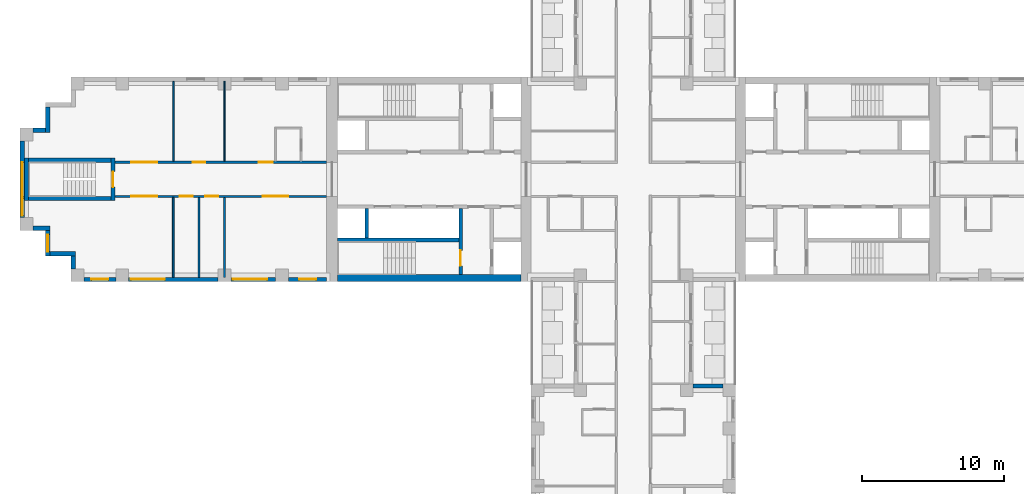
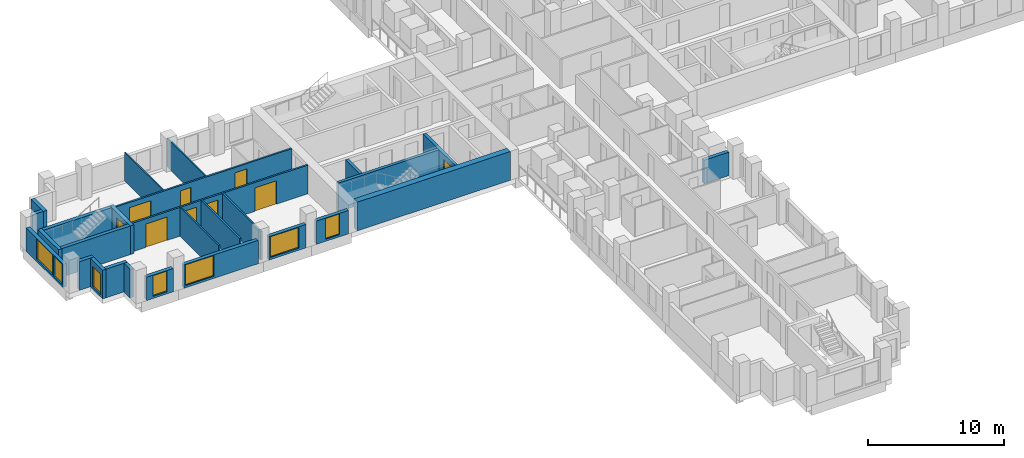
# One storey, part 5 of 15: 27 walls, 9 doors, 7 windows, 16 openings.
"""IFC4 building model written with IfcOpenShell, lengths in metres."""

from ifc_helpers import new_model, si_unit, direction, frame, frame_2d, origin, place, context, subcontext, project, spatial, rectangle, extrude, material, layer, layer_set, type_object, element, fill, save


model = new_model("IFC4")

# Units and contexts
model_context = context("Model", 3, precision=1e-05, world=origin(), true_north=direction((0.0, 1.0)))
body_context = subcontext(model_context, "Body", "Model", "MODEL_VIEW")
ifc_project = project(units=[si_unit("LENGTHUNIT", "METRE"), si_unit("AREAUNIT", "SQUARE_METRE"), si_unit("VOLUMEUNIT", "CUBIC_METRE"), si_unit("PLANEANGLEUNIT", "RADIAN"), si_unit("MASSUNIT", "GRAM", prefix="KILO")], contexts=[model_context])

# Site, building, storey
site_placement = place(None, origin())
site = spatial("IfcSite", under=ifc_project, at=site_placement, CompositionType="ELEMENT")
building_placement = place(site_placement, origin())
building = spatial("IfcBuilding", under=site, at=building_placement, Name="Fustian Cross Tower", CompositionType="ELEMENT")
storey_placement = place(building_placement, frame((0.0, 0.0, 35.699951171875)))
storey = spatial("IfcBuildingStorey", under=building, at=storey_placement, Name="L10", CompositionType="ELEMENT", Elevation=35.699951171875)

# Wall, openings, doors
ifc_material_1 = material(Name="Plasterboard on steel stud", Category="steel")
ifc_layer_1 = layer(ifc_material_1, 0.14990234375)
ifc_layer_set_1 = layer_set([ifc_layer_1], Name="Plasterboard on steel stud")
wall_type_1 = type_object("IfcWallType", Name="COMPARTMENT WALL 150 EI 60", PredefinedType="PARTITIONING", material=ifc_layer_set_1)
wall_1_placement = place(storey_placement, frame((-36.5, -1.199951171875, 0.0), z_axis=(0.0, 0.0, 1.0), x_axis=(1.0, 0.0, 0.0)))
wall_1 = element("IfcWall", 1, at=wall_1_placement, inside=storey, type_object=wall_type_1, Name="Partition 1", PredefinedType="PARTITIONING", context=body_context, shape_type="SweptSolid", body=[
    extrude(rectangle(XDim=14.89990234375, YDim=0.14990234375, at=frame_2d((7.449951171875, 0.0))), origin(), (0.0, 0.0, 1.0), 2.574951171875),
])
opening_1_placement = place(wall_1_placement, frame((10.39990234375, 0.0, 0.0)))
opening_1 = element("IfcOpeningElement", 2, at=opening_1_placement, cuts=wall_1, Name="Opening D07041", PredefinedType="OPENING", context=body_context, shape_type="SweptSolid", body=[
    extrude(rectangle(XDim=1.800048828125, YDim=2.10009765625, at=frame_2d((0.89990234375, 1.050048828125))), frame((0.0, 0.0849609375, 0.0), z_axis=(0.0, -1.0, 0.0), x_axis=(1.0, 0.0, 0.0)), (0.0, 0.0, 1.0), 0.169921875),
])
opening_2_placement = place(wall_1_placement, frame((6.35009765625, 0.0, 0.0)))
opening_2 = element("IfcOpeningElement", 3, at=opening_2_placement, cuts=wall_1, Name="Opening D07042", PredefinedType="OPENING", context=body_context, shape_type="SweptSolid", body=[
    extrude(rectangle(XDim=0.89990234375, YDim=2.10009765625, at=frame_2d((0.449951171875, 1.050048828125))), frame((0.0, 0.0849609375, 0.0), z_axis=(0.0, -1.0, 0.0), x_axis=(1.0, 0.0, 0.0)), (0.0, 0.0, 1.0), 0.169921875),
])
opening_3_placement = place(wall_1_placement, frame((4.550048828125, 0.0, 0.0)))
opening_3 = element("IfcOpeningElement", 4, at=opening_3_placement, cuts=wall_1, Name="Opening D07043", PredefinedType="OPENING", context=body_context, shape_type="SweptSolid", body=[
    extrude(rectangle(XDim=0.89990234375, YDim=2.10009765625, at=frame_2d((0.449951171875, 1.050048828125))), frame((0.0, 0.0849609375, 0.0), z_axis=(0.0, -1.0, 0.0), x_axis=(1.0, 0.0, 0.0)), (0.0, 0.0, 1.0), 0.169921875),
])
opening_4_placement = place(wall_1_placement, frame((1.14990234375, 0.0, 0.0)))
opening_4 = element("IfcOpeningElement", 5, at=opening_4_placement, cuts=wall_1, Name="Opening D07044", PredefinedType="OPENING", context=body_context, shape_type="SweptSolid", body=[
    extrude(rectangle(XDim=1.800048828125, YDim=2.10009765625, at=frame_2d((0.89990234375, 1.050048828125))), frame((0.0, 0.0849609375, 0.0), z_axis=(0.0, -1.0, 0.0), x_axis=(1.0, 0.0, 0.0)), (0.0, 0.0, 1.0), 0.169921875),
])
ifc_material_2 = material(Name="Timber fire door set", Category="wood")
door_type_1 = type_object("IfcDoorType", Name="FIRE DOUBLE DOOR 1800 FD30S", OperationType="DOUBLE_DOOR_DOUBLE_SWING", PredefinedType="DOOR", material=ifc_material_2)
door_1_placement = place(opening_1_placement, origin())
door_1 = element("IfcDoor", 6, at=door_1_placement, inside=storey, type_object=door_type_1, Name="Door D07041", OperationType="DOUBLE_DOOR_DOUBLE_SWING", OverallHeight=2.10009765625, OverallWidth=1.800048828125, PredefinedType="DOOR", context=body_context, shape_type="SweptSolid", body=[
    extrude(rectangle(XDim=1.800048828125, YDim=2.10009765625, at=frame_2d((0.89990234375, 1.050048828125))), frame((0.0, 0.02490234375, 0.0), z_axis=(0.0, -1.0, 0.0), x_axis=(1.0, 0.0, 0.0)), (0.0, 0.0, 1.0), 0.050048828125),
])
fill(opening_1, door_1)
door_2_placement = place(opening_4_placement, origin())
door_2 = element("IfcDoor", 7, at=door_2_placement, inside=storey, type_object=door_type_1, Name="Door D07044", OperationType="DOUBLE_DOOR_DOUBLE_SWING", OverallHeight=2.10009765625, OverallWidth=1.800048828125, PredefinedType="DOOR", context=body_context, shape_type="SweptSolid", body=[
    extrude(rectangle(XDim=1.800048828125, YDim=2.10009765625, at=frame_2d((0.89990234375, 1.050048828125))), frame((0.0, 0.02490234375, 0.0), z_axis=(0.0, -1.0, 0.0), x_axis=(1.0, 0.0, 0.0)), (0.0, 0.0, 1.0), 0.050048828125),
])
fill(opening_4, door_2)
ifc_material_3 = material(Name="Timber fire door set", Category="wood")
door_type_2 = type_object("IfcDoorType", Name="FIRE SWING DOOR 900 FD30S", OperationType="SINGLE_SWING_LEFT", PredefinedType="DOOR", material=ifc_material_3)
door_3_placement = place(opening_2_placement, frame((0.89990234375, 0.0, 0.0), z_axis=(0.0, 0.0, 1.0), x_axis=(-1.0, 0.0, 0.0)))
door_3 = element("IfcDoor", 8, at=door_3_placement, inside=storey, type_object=door_type_2, Name="Door D07042", OperationType="SINGLE_SWING_LEFT", OverallHeight=2.10009765625, OverallWidth=0.89990234375, PredefinedType="DOOR", context=body_context, shape_type="SweptSolid", body=[
    extrude(rectangle(XDim=0.89990234375, YDim=2.10009765625, at=frame_2d((0.449951171875, 1.050048828125))), frame((0.0, 0.02490234375, 0.0), z_axis=(0.0, -1.0, 0.0), x_axis=(1.0, 0.0, 0.0)), (0.0, 0.0, 1.0), 0.050048828125),
])
fill(opening_2, door_3)
door_4_placement = place(opening_3_placement, frame((0.89990234375, 0.0, 0.0), z_axis=(0.0, 0.0, 1.0), x_axis=(-1.0, 0.0, 0.0)))
door_4 = element("IfcDoor", 9, at=door_4_placement, inside=storey, type_object=door_type_2, Name="Door D07043", OperationType="SINGLE_SWING_LEFT", OverallHeight=2.10009765625, OverallWidth=0.89990234375, PredefinedType="DOOR", context=body_context, shape_type="SweptSolid", body=[
    extrude(rectangle(XDim=0.89990234375, YDim=2.10009765625, at=frame_2d((0.449951171875, 1.050048828125))), frame((0.0, 0.02490234375, 0.0), z_axis=(0.0, -1.0, 0.0), x_axis=(1.0, 0.0, 0.0)), (0.0, 0.0, 1.0), 0.050048828125),
])
fill(opening_3, door_4)

wall_2_placement = place(storey_placement, frame((-36.5, 1.199951171875, 0.0), z_axis=(0.0, 0.0, 1.0), x_axis=(1.0, 0.0, 0.0)))
wall_2 = element("IfcWall", 10, at=wall_2_placement, inside=storey, type_object=wall_type_1, Name="Partition 2", PredefinedType="PARTITIONING", context=body_context, shape_type="SweptSolid", body=[
    extrude(rectangle(XDim=14.89990234375, YDim=0.14990234375, at=frame_2d((7.449951171875, 0.0))), origin(), (0.0, 0.0, 1.0), 2.574951171875),
])
opening_5_placement = place(wall_2_placement, frame((10.10009765625, 0.0, 0.0)))
opening_5 = element("IfcOpeningElement", 11, at=opening_5_placement, cuts=wall_2, Name="Opening D07046", PredefinedType="OPENING", context=body_context, shape_type="SweptSolid", body=[
    extrude(rectangle(XDim=1.0, YDim=2.10009765625, at=frame_2d((0.5, 1.050048828125))), frame((0.0, 0.0849609375, 0.0), z_axis=(0.0, -1.0, 0.0), x_axis=(1.0, 0.0, 0.0)), (0.0, 0.0, 1.0), 0.169921875),
])
opening_6_placement = place(wall_2_placement, frame((5.449951171875, 0.0, 0.0)))
opening_6 = element("IfcOpeningElement", 12, at=opening_6_placement, cuts=wall_2, Name="Opening D07047", PredefinedType="OPENING", context=body_context, shape_type="SweptSolid", body=[
    extrude(rectangle(XDim=0.89990234375, YDim=2.10009765625, at=frame_2d((0.449951171875, 1.050048828125))), frame((0.0, 0.0849609375, 0.0), z_axis=(0.0, -1.0, 0.0), x_axis=(1.0, 0.0, 0.0)), (0.0, 0.0, 1.0), 0.169921875),
])
opening_7_placement = place(wall_2_placement, frame((1.14990234375, 0.0, 0.0)))
opening_7 = element("IfcOpeningElement", 13, at=opening_7_placement, cuts=wall_2, Name="Opening D07048", PredefinedType="OPENING", context=body_context, shape_type="SweptSolid", body=[
    extrude(rectangle(XDim=1.800048828125, YDim=2.10009765625, at=frame_2d((0.89990234375, 1.050048828125))), frame((0.0, 0.0849609375, 0.0), z_axis=(0.0, -1.0, 0.0), x_axis=(1.0, 0.0, 0.0)), (0.0, 0.0, 1.0), 0.169921875),
])
door_5_placement = place(opening_7_placement, frame((1.800048828125, 0.0, 0.0), z_axis=(0.0, 0.0, 1.0), x_axis=(-1.0, 0.0, 0.0)))
door_5 = element("IfcDoor", 14, at=door_5_placement, inside=storey, type_object=door_type_1, Name="Door D07048", OperationType="DOUBLE_DOOR_DOUBLE_SWING", OverallHeight=2.10009765625, OverallWidth=1.800048828125, PredefinedType="DOOR", context=body_context, shape_type="SweptSolid", body=[
    extrude(rectangle(XDim=1.800048828125, YDim=2.10009765625, at=frame_2d((0.89990234375, 1.050048828125))), frame((0.0, 0.02490234375, 0.0), z_axis=(0.0, -1.0, 0.0), x_axis=(1.0, 0.0, 0.0)), (0.0, 0.0, 1.0), 0.050048828125),
])
fill(opening_7, door_5)
ifc_material_4 = material(Name="Timber fire door set", Category="wood")
door_type_3 = type_object("IfcDoorType", Name="FIRE SWING DOOR 1000 FD30S", OperationType="SINGLE_SWING_LEFT", PredefinedType="DOOR", material=ifc_material_4)
door_6_placement = place(opening_5_placement, origin())
door_6 = element("IfcDoor", 15, at=door_6_placement, inside=storey, type_object=door_type_3, Name="Door D07046", OperationType="SINGLE_SWING_RIGHT", OverallHeight=2.10009765625, OverallWidth=1.0, PredefinedType="DOOR", context=body_context, shape_type="SweptSolid", body=[
    extrude(rectangle(XDim=1.0, YDim=2.10009765625, at=frame_2d((0.5, 1.050048828125))), frame((0.0, 0.02490234375, 0.0), z_axis=(0.0, -1.0, 0.0), x_axis=(1.0, 0.0, 0.0)), (0.0, 0.0, 1.0), 0.050048828125),
])
fill(opening_5, door_6)
door_7_placement = place(opening_6_placement, origin())
door_7 = element("IfcDoor", 16, at=door_7_placement, inside=storey, type_object=door_type_2, Name="Door D07047", OperationType="SINGLE_SWING_LEFT", OverallHeight=2.10009765625, OverallWidth=0.89990234375, PredefinedType="DOOR", context=body_context, shape_type="SweptSolid", body=[
    extrude(rectangle(XDim=0.89990234375, YDim=2.10009765625, at=frame_2d((0.449951171875, 1.050048828125))), frame((0.0, 0.02490234375, 0.0), z_axis=(0.0, -1.0, 0.0), x_axis=(1.0, 0.0, 0.0)), (0.0, 0.0, 1.0), 0.050048828125),
])
fill(opening_6, door_7)

# Walls
for number, where, z_axis, x_axis, name in (
    (17, (-30.60009765625, -6.89990234375, 0.0), (0.0, 0.0, 1.0), (0.0, 1.0, 0.0), "Partition 5"),
    (18, (-28.800048828125, -6.89990234375, 0.0), (0.0, 0.0, 1.0), (0.0, 1.0, 0.0), "Partition 6"),
):
    element("IfcWall", number, at=place(storey_placement, frame(where, z_axis=z_axis, x_axis=x_axis)), inside=storey, type_object=wall_type_1, Name=name, PredefinedType="PARTITIONING", context=body_context, shape_type="SweptSolid", body=[
        extrude(rectangle(XDim=5.625, YDim=0.14990234375, at=frame_2d((2.8125, 0.0))), origin(), (0.0, 0.0, 1.0), 2.574951171875),
    ])
ifc_material_5 = material(Name="Concrete C80/95", Category="concrete")
ifc_layer_2 = layer(ifc_material_5, 0.5)
ifc_layer_set_2 = layer_set([ifc_layer_2], Name="Concrete C80/95")
wall_type_2 = type_object("IfcWallType", Name="CORE FACADE WALL 500 C80/95", PredefinedType="SHEAR", material=ifc_layer_set_2)
wall_3_placement = place(storey_placement, frame((-7.89990234375, -6.949951171875, 0.0), z_axis=(0.0, 0.0, 1.0), x_axis=(-1.0, 0.0, 0.0)))
element("IfcWall", 19, at=wall_3_placement, inside=storey, type_object=wall_type_2, Name="Core facade wall", PredefinedType="SHEAR", context=body_context, shape_type="SweptSolid", body=[
    extrude(rectangle(XDim=12.9501953125, YDim=0.5, at=frame_2d((6.47509765625, 0.0))), origin(), (0.0, 0.0, 1.0), 2.574951171875),
])
ifc_material_6 = material(Name="Concrete C50/60", Category="concrete")
ifc_layer_3 = layer(ifc_material_6, 0.25)
ifc_layer_set_3 = layer_set([ifc_layer_3], Name="Concrete C50/60")
wall_type_3 = type_object("IfcWallType", Name="CORE SHAFT WALL 250 C50/60", PredefinedType="SHEAR", material=ifc_layer_set_3)
wall_4_placement = place(storey_placement, frame((-12.300048828125, -4.27490234375, 0.0), z_axis=(0.0, 0.0, 1.0), x_axis=(-1.0, 0.0, 0.0)))
element("IfcWall", 20, at=wall_4_placement, inside=storey, type_object=wall_type_3, Name="Core shaft wall", PredefinedType="SHEAR", context=body_context, shape_type="SweptSolid", body=[
    extrude(rectangle(XDim=8.550048828125, YDim=0.25, at=frame_2d((4.27490234375, 0.0))), origin(), (0.0, 0.0, 1.0), 2.574951171875),
])

# Wall, opening, door
wall_5_placement = place(storey_placement, frame((-12.175048828125, -2.050048828125, 0.0), z_axis=(0.0, 0.0, 1.0), x_axis=(0.0, -1.0, 0.0)))
wall_5 = element("IfcWall", 21, at=wall_5_placement, inside=storey, type_object=wall_type_3, Name="Core shaft wall", PredefinedType="SHEAR", context=body_context, shape_type="SweptSolid", body=[
    extrude(rectangle(XDim=4.64990234375, YDim=0.25, at=frame_2d((2.324951171875, 0.0))), origin(), (0.0, 0.0, 1.0), 2.574951171875),
])
opening_8_placement = place(wall_5_placement, frame((2.949951171875, 0.0, 0.0)))
opening_8 = element("IfcOpeningElement", 22, at=opening_8_placement, cuts=wall_5, Name="Opening CD-04-21", PredefinedType="OPENING", context=body_context, shape_type="SweptSolid", body=[
    extrude(rectangle(XDim=1.10009765625, YDim=2.10009765625, at=frame_2d((0.550048828125, 1.050048828125))), frame((0.0, 0.135009765625, 0.0), z_axis=(0.0, -1.0, 0.0), x_axis=(1.0, 0.0, 0.0)), (0.0, 0.0, 1.0), 0.27001953125),
])
ifc_material_7 = material(Name="Steel", Category="steel")
door_type_4 = type_object("IfcDoorType", Name="FIRE DOOR FD60S 1100X2100", OperationType="SINGLE_SWING_LEFT", PredefinedType="DOOR", material=ifc_material_7)
door_8_placement = place(opening_8_placement, frame((1.10009765625, 0.0, 0.0), z_axis=(0.0, 0.0, 1.0), x_axis=(-1.0, 0.0, 0.0)))
door_8 = element("IfcDoor", 23, at=door_8_placement, inside=storey, type_object=door_type_4, Name="Core door CD-04-21", OperationType="SINGLE_SWING_RIGHT", OverallHeight=2.10009765625, OverallWidth=1.10009765625, PredefinedType="DOOR", context=body_context, shape_type="SweptSolid", body=[
    extrude(rectangle(XDim=1.10009765625, YDim=2.10009765625, at=frame_2d((0.550048828125, 1.050048828125))), frame((0.0, 0.02490234375, 0.0), z_axis=(0.0, -1.0, 0.0), x_axis=(1.0, 0.0, 0.0)), (0.0, 0.0, 1.0), 0.050048828125),
])
fill(opening_8, door_8)

# Walls
ifc_material_8 = material(Name="Plasterboard on steel stud", Category="steel")
ifc_layer_4 = layer(ifc_material_8, 0.10009765625)
ifc_layer_set_4 = layer_set([ifc_layer_4], Name="Plasterboard on steel stud")
wall_type_4 = type_object("IfcWallType", Name="PARTITION 100 STUD", PredefinedType="PARTITIONING", material=ifc_layer_set_4)
for number, where, z_axis, x_axis, name in (
    (24, (-32.39990234375, 1.27490234375, 0.0), (0.0, 0.0, 1.0), (0.0, 1.0, 0.0), "Partition 4"),
    (25, (-28.800048828125, 1.27490234375, 0.0), (0.0, 0.0, 1.0), (0.0, 1.0, 0.0), "Partition 7"),
):
    element("IfcWall", number, at=place(storey_placement, frame(where, z_axis=z_axis, x_axis=x_axis)), inside=storey, type_object=wall_type_4, Name=name, PredefinedType="PARTITIONING", context=body_context, shape_type="SweptSolid", body=[
        extrude(rectangle(XDim=5.625, YDim=0.10009765625, at=frame_2d((2.8125, 0.0))), origin(), (0.0, 0.0, 1.0), 2.574951171875),
    ])
ifc_material_9 = material(Name="Concrete C40/50", Category="concrete")
ifc_layer_5 = layer(ifc_material_9, 0.25)
ifc_layer_set_5 = layer_set([ifc_layer_5], Name="Concrete C40/50")
wall_type_5 = type_object("IfcWallType", Name="SHAFT PARTITION WALL 250 C40/50", PredefinedType="PARTITIONING", material=ifc_layer_set_5)
wall_6_placement = place(storey_placement, frame((-18.77490234375, -2.050048828125, 0.0), z_axis=(0.0, 0.0, 1.0), x_axis=(0.0, -1.0, 0.0)))
element("IfcWall", 26, at=wall_6_placement, inside=storey, type_object=wall_type_5, Name="Core shaft wall", PredefinedType="PARTITIONING", context=body_context, shape_type="SweptSolid", body=[
    extrude(rectangle(XDim=2.099853515625, YDim=0.25, at=frame_2d((1.0498046875, 0.0))), origin(), (0.0, 0.0, 1.0), 2.574951171875),
])

# Wall, opening, door
ifc_material_10 = material(Name="Concrete C50/60", Category="concrete")
ifc_layer_6 = layer(ifc_material_10, 0.300048828125)
ifc_layer_set_6 = layer_set([ifc_layer_6], Name="Concrete C50/60")
wall_type_6 = type_object("IfcWallType", Name="STAIR ENCLOSURE WALL 300 C50/60", PredefinedType="SHEAR", material=ifc_layer_set_6)
wall_7_placement = place(storey_placement, frame((-36.64990234375, -1.5, 0.0), z_axis=(0.0, 0.0, 1.0), x_axis=(0.0, 1.0, 0.0)))
wall_7 = element("IfcWall", 27, at=wall_7_placement, inside=storey, type_object=wall_type_6, Name="Stair enclosure wall", PredefinedType="SHEAR", context=body_context, shape_type="SweptSolid", body=[
    extrude(rectangle(XDim=3.0, YDim=0.300048828125, at=frame_2d((1.5, 0.0))), origin(), (0.0, 0.0, 1.0), 2.574951171875),
])
opening_9_placement = place(wall_7_placement, frame((0.949951171875, 0.0, 0.0)))
opening_9 = element("IfcOpeningElement", 28, at=opening_9_placement, cuts=wall_7, Name="Opening CD-04-32", PredefinedType="OPENING", context=body_context, shape_type="SweptSolid", body=[
    extrude(rectangle(XDim=1.10009765625, YDim=2.10009765625, at=frame_2d((0.550048828125, 1.050048828125))), frame((0.0, 0.159912109375, 0.0), z_axis=(0.0, -1.0, 0.0), x_axis=(1.0, 0.0, 0.0)), (0.0, 0.0, 1.0), 0.320068359375),
])
door_9_placement = place(opening_9_placement, origin())
door_9 = element("IfcDoor", 29, at=door_9_placement, inside=storey, type_object=door_type_4, Name="Core door CD-04-32", OperationType="SINGLE_SWING_LEFT", OverallHeight=2.10009765625, OverallWidth=1.10009765625, PredefinedType="DOOR", context=body_context, shape_type="SweptSolid", body=[
    extrude(rectangle(XDim=1.10009765625, YDim=2.10009765625, at=frame_2d((0.550048828125, 1.050048828125))), frame((0.0, 0.02490234375, 0.0), z_axis=(0.0, -1.0, 0.0), x_axis=(1.0, 0.0, 0.0)), (0.0, 0.0, 1.0), 0.050048828125),
])
fill(opening_9, door_9)

# Walls
wall_8_placement = place(storey_placement, frame((-42.75, -1.5, 0.0), z_axis=(0.0, 0.0, 1.0), x_axis=(0.0, 1.0, 0.0)))
element("IfcWall", 30, at=wall_8_placement, inside=storey, type_object=wall_type_6, Name="Stair enclosure wall", PredefinedType="SHEAR", context=body_context, shape_type="SweptSolid", body=[
    extrude(rectangle(XDim=3.0, YDim=0.300048828125, at=frame_2d((1.5, 0.0))), origin(), (0.0, 0.0, 1.0), 2.574951171875),
])
for number, where, z_axis, x_axis, name in (
    (31, (-36.800048828125, -1.35009765625, 0.0), (0.0, 0.0, 1.0), (-1.0, 0.0, 0.0), "Stair enclosure wall"),
    (32, (-36.800048828125, 1.35009765625, 0.0), (0.0, 0.0, 1.0), (-1.0, 0.0, 0.0), "Stair enclosure wall"),
):
    element("IfcWall", number, at=place(storey_placement, frame(where, z_axis=z_axis, x_axis=x_axis)), inside=storey, type_object=wall_type_6, Name=name, PredefinedType="SHEAR", context=body_context, shape_type="SweptSolid", body=[
        extrude(rectangle(XDim=5.800048828125, YDim=0.300048828125, at=frame_2d((2.89990234375, 0.0))), origin(), (0.0, 0.0, 1.0), 2.574951171875),
    ])
ifc_material_11 = material(Name="Plasterboard on steel stud", Category="steel")
ifc_layer_7 = layer(ifc_material_11, 0.125)
ifc_layer_set_7 = layer_set([ifc_layer_7], Name="Plasterboard on steel stud")
wall_type_7 = type_object("IfcWallType", Name="WET WALL 125 STUD", PredefinedType="PARTITIONING", material=ifc_layer_set_7)
wall_9_placement = place(storey_placement, frame((-32.39990234375, -6.89990234375, 0.0), z_axis=(0.0, 0.0, 1.0), x_axis=(0.0, 1.0, 0.0)))
element("IfcWall", 33, at=wall_9_placement, inside=storey, type_object=wall_type_7, Name="Partition 3", PredefinedType="PARTITIONING", context=body_context, shape_type="SweptSolid", body=[
    extrude(rectangle(XDim=5.625, YDim=0.125, at=frame_2d((2.8125, 0.0))), origin(), (0.0, 0.0, 1.0), 2.574951171875),
])
ifc_material_12 = material(Name="Dark aluminium cladding on insulated backing wall", Category="aluminium")
ifc_layer_8 = layer(ifc_material_12, 0.300048828125)
ifc_layer_set_8 = layer_set([ifc_layer_8], Name="Dark aluminium cladding on insulated backing wall")
wall_type_8 = type_object("IfcWallType", Name="XW1 EXTERNAL WALL 300", PredefinedType="SOLIDWALL", material=ifc_layer_set_8)
wall_10_placement = place(storey_placement, frame((-41.25, 5.10009765625, 0.0), z_axis=(0.0, 0.0, 1.0), x_axis=(0.0, -1.0, 0.0)))
element("IfcWall", 34, at=wall_10_placement, inside=storey, type_object=wall_type_8, Name="External wall", PredefinedType="SOLIDWALL", context=body_context, shape_type="SweptSolid", body=[
    extrude(rectangle(XDim=1.800048828125, YDim=0.300048828125, at=frame_2d((0.89990234375, 0.0))), origin(), (0.0, 0.0, 1.0), 2.574951171875),
])
wall_11_placement = place(storey_placement, frame((-41.39990234375, 3.449951171875, 0.0), z_axis=(0.0, 0.0, 1.0), x_axis=(-1.0, 0.0, 0.0)))
element("IfcWall", 35, at=wall_11_placement, inside=storey, type_object=wall_type_8, Name="External wall", PredefinedType="SOLIDWALL", context=body_context, shape_type="SweptSolid", body=[
    extrude(rectangle(XDim=0.900146484375, YDim=0.300048828125, at=frame_2d((0.4501953125, 0.0))), origin(), (0.0, 0.0, 1.0), 2.574951171875),
])

# Wall, openings, windows
wall_12_placement = place(storey_placement, frame((-43.050048828125, 2.699951171875, 0.0), z_axis=(0.0, 0.0, 1.0), x_axis=(0.0, -1.0, 0.0)))
wall_12 = element("IfcWall", 36, at=wall_12_placement, inside=storey, type_object=wall_type_8, Name="External wall", PredefinedType="SOLIDWALL", context=body_context, shape_type="SweptSolid", body=[
    extrude(rectangle(XDim=5.39990234375, YDim=0.300048828125, at=frame_2d((2.699951171875, 0.0))), origin(), (0.0, 0.0, 1.0), 2.10009765625),
])
opening_10_placement = place(wall_12_placement, frame((1.5, 0.0, 0.199951171875)))
opening_10 = element("IfcOpeningElement", 37, at=opening_10_placement, cuts=wall_12, Name="Opening WN1", PredefinedType="OPENING", context=body_context, shape_type="SweptSolid", body=[
    extrude(rectangle(XDim=2.39990234375, YDim=1.85009765625, at=frame_2d((1.199951171875, 0.925048828125))), frame((0.0, 0.159912109375, 0.0), z_axis=(0.0, -1.0, 0.0), x_axis=(1.0, 0.0, 0.0)), (0.0, 0.0, 1.0), 0.320068359375),
])
opening_11_placement = place(wall_12_placement, frame((4.050048828125, 0.0, 0.199951171875)))
opening_11 = element("IfcOpeningElement", 38, at=opening_11_placement, cuts=wall_12, Name="Opening WN3", PredefinedType="OPENING", context=body_context, shape_type="SweptSolid", body=[
    extrude(rectangle(XDim=1.199951171875, YDim=1.85009765625, at=frame_2d((0.60009765625, 0.925048828125))), frame((0.0, 0.159912109375, 0.0), z_axis=(0.0, -1.0, 0.0), x_axis=(1.0, 0.0, 0.0)), (0.0, 0.0, 1.0), 0.320068359375),
])
ifc_material_13 = material(Name="Dark anodised aluminium and double glazing", Category="aluminium")
window_type_1 = type_object("IfcWindowType", Name="WN1 WINDOW 2400X1850", PartitioningType="SINGLE_PANEL", PredefinedType="WINDOW", material=ifc_material_13)
window_1_placement = place(opening_10_placement, origin())
window_1 = element("IfcWindow", 39, at=window_1_placement, inside=storey, type_object=window_type_1, Name="Window", OverallHeight=1.85009765625, OverallWidth=2.39990234375, PartitioningType="SINGLE_PANEL", PredefinedType="WINDOW", context=body_context, shape_type="SweptSolid", body=[
    extrude(rectangle(XDim=2.39990234375, YDim=1.85009765625, at=frame_2d((1.199951171875, 0.925048828125))), frame((0.0, 0.030029296875, 0.0), z_axis=(0.0, -1.0, 0.0), x_axis=(1.0, 0.0, 0.0)), (0.0, 0.0, 1.0), 0.06005859375),
])
fill(opening_10, window_1)
ifc_material_14 = material(Name="Dark anodised aluminium and double glazing", Category="aluminium")
window_type_2 = type_object("IfcWindowType", Name="WN3 WINDOW 1200X1850", PartitioningType="SINGLE_PANEL", PredefinedType="WINDOW", material=ifc_material_14)
window_2_placement = place(opening_11_placement, origin())
window_2 = element("IfcWindow", 40, at=window_2_placement, inside=storey, type_object=window_type_2, Name="Window", OverallHeight=1.85009765625, OverallWidth=1.199951171875, PartitioningType="SINGLE_PANEL", PredefinedType="WINDOW", context=body_context, shape_type="SweptSolid", body=[
    extrude(rectangle(XDim=1.199951171875, YDim=1.85009765625, at=frame_2d((0.60009765625, 0.925048828125))), frame((0.0, 0.030029296875, 0.0), z_axis=(0.0, -1.0, 0.0), x_axis=(1.0, 0.0, 0.0)), (0.0, 0.0, 1.0), 0.06005859375),
])
fill(opening_11, window_2)

# Wall
wall_13_placement = place(storey_placement, frame((-42.300048828125, -3.449951171875, 0.0), z_axis=(0.0, 0.0, 1.0), x_axis=(1.0, 0.0, 0.0)))
element("IfcWall", 41, at=wall_13_placement, inside=storey, type_object=wall_type_8, Name="External wall", PredefinedType="SOLIDWALL", context=body_context, shape_type="SweptSolid", body=[
    extrude(rectangle(XDim=1.199951171875, YDim=0.300048828125, at=frame_2d((0.60009765625, 0.0))), origin(), (0.0, 0.0, 1.0), 2.574951171875),
])

# Wall, opening, window
wall_14_placement = place(storey_placement, frame((-41.25, -3.60009765625, 0.0), z_axis=(0.0, 0.0, 1.0), x_axis=(0.0, -1.0, 0.0)))
wall_14 = element("IfcWall", 42, at=wall_14_placement, inside=storey, type_object=wall_type_8, Name="External wall", PredefinedType="SOLIDWALL", context=body_context, shape_type="SweptSolid", body=[
    extrude(rectangle(XDim=1.7998046875, YDim=0.300048828125, at=frame_2d((0.89990234375, 0.0))), origin(), (0.0, 0.0, 1.0), 2.574951171875),
])
opening_12_placement = place(wall_14_placement, frame((0.300048828125, 0.0, 0.199951171875)))
opening_12 = element("IfcOpeningElement", 43, at=opening_12_placement, cuts=wall_14, Name="Opening WN3", PredefinedType="OPENING", context=body_context, shape_type="SweptSolid", body=[
    extrude(rectangle(XDim=1.199951171875, YDim=1.85009765625, at=frame_2d((0.60009765625, 0.925048828125))), frame((0.0, 0.159912109375, 0.0), z_axis=(0.0, -1.0, 0.0), x_axis=(1.0, 0.0, 0.0)), (0.0, 0.0, 1.0), 0.320068359375),
])
window_3_placement = place(opening_12_placement, origin())
window_3 = element("IfcWindow", 44, at=window_3_placement, inside=storey, type_object=window_type_2, Name="Window", OverallHeight=1.85009765625, OverallWidth=1.199951171875, PartitioningType="SINGLE_PANEL", PredefinedType="WINDOW", context=body_context, shape_type="SweptSolid", body=[
    extrude(rectangle(XDim=1.199951171875, YDim=1.85009765625, at=frame_2d((0.60009765625, 0.925048828125))), frame((0.0, 0.030029296875, 0.0), z_axis=(0.0, -1.0, 0.0), x_axis=(1.0, 0.0, 0.0)), (0.0, 0.0, 1.0), 0.06005859375),
])
fill(opening_12, window_3)

# Walls
wall_15_placement = place(storey_placement, frame((-41.10009765625, -5.25, 0.0), z_axis=(0.0, 0.0, 1.0), x_axis=(1.0, 0.0, 0.0)))
element("IfcWall", 45, at=wall_15_placement, inside=storey, type_object=wall_type_8, Name="External wall", PredefinedType="SOLIDWALL", context=body_context, shape_type="SweptSolid", body=[
    extrude(rectangle(XDim=1.800048828125, YDim=0.300048828125, at=frame_2d((0.89990234375, 0.0))), origin(), (0.0, 0.0, 1.0), 2.574951171875),
])
wall_16_placement = place(storey_placement, frame((-39.449951171875, -5.39990234375, 0.0), z_axis=(0.0, 0.0, 1.0), x_axis=(0.0, -1.0, 0.0)))
element("IfcWall", 46, at=wall_16_placement, inside=storey, type_object=wall_type_8, Name="External wall", PredefinedType="SOLIDWALL", context=body_context, shape_type="SweptSolid", body=[
    extrude(rectangle(XDim=0.900146484375, YDim=0.300048828125, at=frame_2d((0.4501953125, 0.0))), origin(), (0.0, 0.0, 1.0), 2.574951171875),
])

# Wall, opening, window
wall_17_placement = place(storey_placement, frame((-38.699951171875, -7.050048828125, 0.0), z_axis=(0.0, 0.0, 1.0), x_axis=(1.0, 0.0, 0.0)))
wall_17 = element("IfcWall", 47, at=wall_17_placement, inside=storey, type_object=wall_type_8, Name="External wall", PredefinedType="SOLIDWALL", context=body_context, shape_type="SweptSolid", body=[
    extrude(rectangle(XDim=2.25, YDim=0.300048828125, at=frame_2d((1.125, 0.0))), origin(), (0.0, 0.0, 1.0), 2.10009765625),
])
opening_13_placement = place(wall_17_placement, frame((0.52490234375, 0.0, 0.199951171875)))
opening_13 = element("IfcOpeningElement", 48, at=opening_13_placement, cuts=wall_17, Name="Opening WN3", PredefinedType="OPENING", context=body_context, shape_type="SweptSolid", body=[
    extrude(rectangle(XDim=1.199951171875, YDim=1.85009765625, at=frame_2d((0.60009765625, 0.925048828125))), frame((0.0, 0.159912109375, 0.0), z_axis=(0.0, -1.0, 0.0), x_axis=(1.0, 0.0, 0.0)), (0.0, 0.0, 1.0), 0.320068359375),
])
window_4_placement = place(opening_13_placement, origin())
window_4 = element("IfcWindow", 49, at=window_4_placement, inside=storey, type_object=window_type_2, Name="Window", OverallHeight=1.85009765625, OverallWidth=1.199951171875, PartitioningType="SINGLE_PANEL", PredefinedType="WINDOW", context=body_context, shape_type="SweptSolid", body=[
    extrude(rectangle(XDim=1.199951171875, YDim=1.85009765625, at=frame_2d((0.60009765625, 0.925048828125))), frame((0.0, 0.030029296875, 0.0), z_axis=(0.0, -1.0, 0.0), x_axis=(1.0, 0.0, 0.0)), (0.0, 0.0, 1.0), 0.06005859375),
])
fill(opening_13, window_4)

wall_18_placement = place(storey_placement, frame((-35.550048828125, -7.050048828125, 0.0), z_axis=(0.0, 0.0, 1.0), x_axis=(1.0, 0.0, 0.0)))
wall_18 = element("IfcWall", 50, at=wall_18_placement, inside=storey, type_object=wall_type_8, Name="External wall", PredefinedType="SOLIDWALL", context=body_context, shape_type="SweptSolid", body=[
    extrude(rectangle(XDim=6.300048828125, YDim=0.300048828125, at=frame_2d((3.14990234375, 0.0))), origin(), (0.0, 0.0, 1.0), 2.10009765625),
])
opening_14_placement = place(wall_18_placement, frame((0.14990234375, 0.0, 0.199951171875)))
opening_14 = element("IfcOpeningElement", 51, at=opening_14_placement, cuts=wall_18, Name="Opening WN1", PredefinedType="OPENING", context=body_context, shape_type="SweptSolid", body=[
    extrude(rectangle(XDim=2.39990234375, YDim=1.85009765625, at=frame_2d((1.199951171875, 0.925048828125))), frame((0.0, 0.159912109375, 0.0), z_axis=(0.0, -1.0, 0.0), x_axis=(1.0, 0.0, 0.0)), (0.0, 0.0, 1.0), 0.320068359375),
])
window_5_placement = place(opening_14_placement, origin())
window_5 = element("IfcWindow", 52, at=window_5_placement, inside=storey, type_object=window_type_1, Name="Window", OverallHeight=1.85009765625, OverallWidth=2.39990234375, PartitioningType="SINGLE_PANEL", PredefinedType="WINDOW", context=body_context, shape_type="SweptSolid", body=[
    extrude(rectangle(XDim=2.39990234375, YDim=1.85009765625, at=frame_2d((1.199951171875, 0.925048828125))), frame((0.0, 0.030029296875, 0.0), z_axis=(0.0, -1.0, 0.0), x_axis=(1.0, 0.0, 0.0)), (0.0, 0.0, 1.0), 0.06005859375),
])
fill(opening_14, window_5)

wall_19_placement = place(storey_placement, frame((-28.35009765625, -7.050048828125, 0.0), z_axis=(0.0, 0.0, 1.0), x_axis=(1.0, 0.0, 0.0)))
wall_19 = element("IfcWall", 53, at=wall_19_placement, inside=storey, type_object=wall_type_8, Name="External wall", PredefinedType="SOLIDWALL", context=body_context, shape_type="SweptSolid", body=[
    extrude(rectangle(XDim=3.150146484375, YDim=0.300048828125, at=frame_2d((1.5751953125, 0.0))), origin(), (0.0, 0.0, 1.0), 2.10009765625),
])
opening_15_placement = place(wall_19_placement, frame((0.14990234375, 0.0, 0.199951171875)))
opening_15 = element("IfcOpeningElement", 54, at=opening_15_placement, cuts=wall_19, Name="Opening WN1", PredefinedType="OPENING", context=body_context, shape_type="SweptSolid", body=[
    extrude(rectangle(XDim=2.39990234375, YDim=1.85009765625, at=frame_2d((1.199951171875, 0.925048828125))), frame((0.0, 0.159912109375, 0.0), z_axis=(0.0, -1.0, 0.0), x_axis=(1.0, 0.0, 0.0)), (0.0, 0.0, 1.0), 0.320068359375),
])
window_6_placement = place(opening_15_placement, origin())
window_6 = element("IfcWindow", 55, at=window_6_placement, inside=storey, type_object=window_type_1, Name="Window", OverallHeight=1.85009765625, OverallWidth=2.39990234375, PartitioningType="SINGLE_PANEL", PredefinedType="WINDOW", context=body_context, shape_type="SweptSolid", body=[
    extrude(rectangle(XDim=2.39990234375, YDim=1.85009765625, at=frame_2d((1.199951171875, 0.925048828125))), frame((0.0, 0.030029296875, 0.0), z_axis=(0.0, -1.0, 0.0), x_axis=(1.0, 0.0, 0.0)), (0.0, 0.0, 1.0), 0.06005859375),
])
fill(opening_15, window_6)

wall_20_placement = place(storey_placement, frame((-24.300048828125, -7.050048828125, 0.0), z_axis=(0.0, 0.0, 1.0), x_axis=(1.0, 0.0, 0.0)))
wall_20 = element("IfcWall", 56, at=wall_20_placement, inside=storey, type_object=wall_type_8, Name="External wall", PredefinedType="SOLIDWALL", context=body_context, shape_type="SweptSolid", body=[
    extrude(rectangle(XDim=2.699951171875, YDim=0.300048828125, at=frame_2d((1.35009765625, 0.0))), origin(), (0.0, 0.0, 1.0), 2.10009765625),
])
opening_16_placement = place(wall_20_placement, frame((0.75, 0.0, 0.199951171875)))
opening_16 = element("IfcOpeningElement", 57, at=opening_16_placement, cuts=wall_20, Name="Opening WN3", PredefinedType="OPENING", context=body_context, shape_type="SweptSolid", body=[
    extrude(rectangle(XDim=1.199951171875, YDim=1.85009765625, at=frame_2d((0.60009765625, 0.925048828125))), frame((0.0, 0.159912109375, 0.0), z_axis=(0.0, -1.0, 0.0), x_axis=(1.0, 0.0, 0.0)), (0.0, 0.0, 1.0), 0.320068359375),
])
window_7_placement = place(opening_16_placement, origin())
window_7 = element("IfcWindow", 58, at=window_7_placement, inside=storey, type_object=window_type_2, Name="Window", OverallHeight=1.85009765625, OverallWidth=1.199951171875, PartitioningType="SINGLE_PANEL", PredefinedType="WINDOW", context=body_context, shape_type="SweptSolid", body=[
    extrude(rectangle(XDim=1.199951171875, YDim=1.85009765625, at=frame_2d((0.60009765625, 0.925048828125))), frame((0.0, 0.030029296875, 0.0), z_axis=(0.0, -1.0, 0.0), x_axis=(1.0, 0.0, 0.0)), (0.0, 0.0, 1.0), 0.06005859375),
])
fill(opening_16, window_7)

# Wall
wall_21_placement = place(storey_placement, frame((6.300048828125, -14.550048828125, 0.0), z_axis=(0.0, 0.0, 1.0), x_axis=(-1.0, 0.0, 0.0)))
element("IfcWall", 59, at=wall_21_placement, inside=storey, type_object=wall_type_8, Name="External wall", PredefinedType="SOLIDWALL", context=body_context, shape_type="SweptSolid", body=[
    extrude(rectangle(XDim=2.10009765625, YDim=0.300048828125, at=frame_2d((1.050048828125, 0.0))), origin(), (0.0, 0.0, 1.0), 2.10009765625),
])

save(model, "model.ifc")
